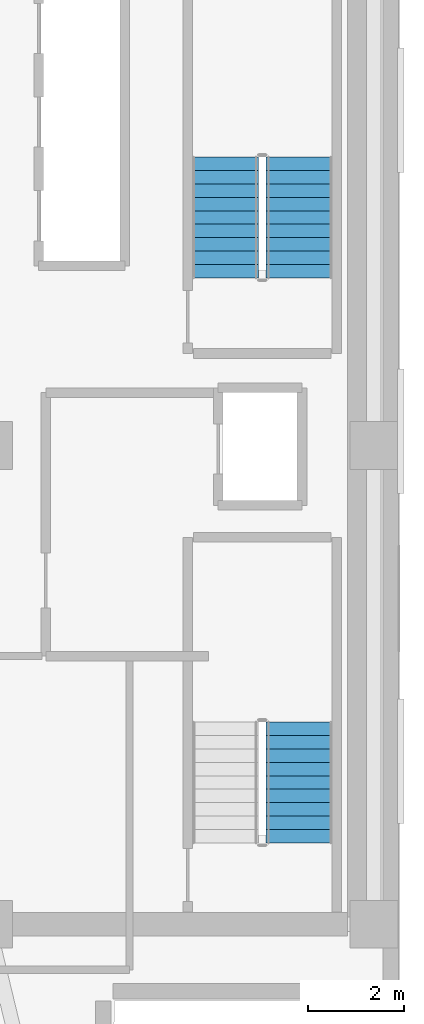
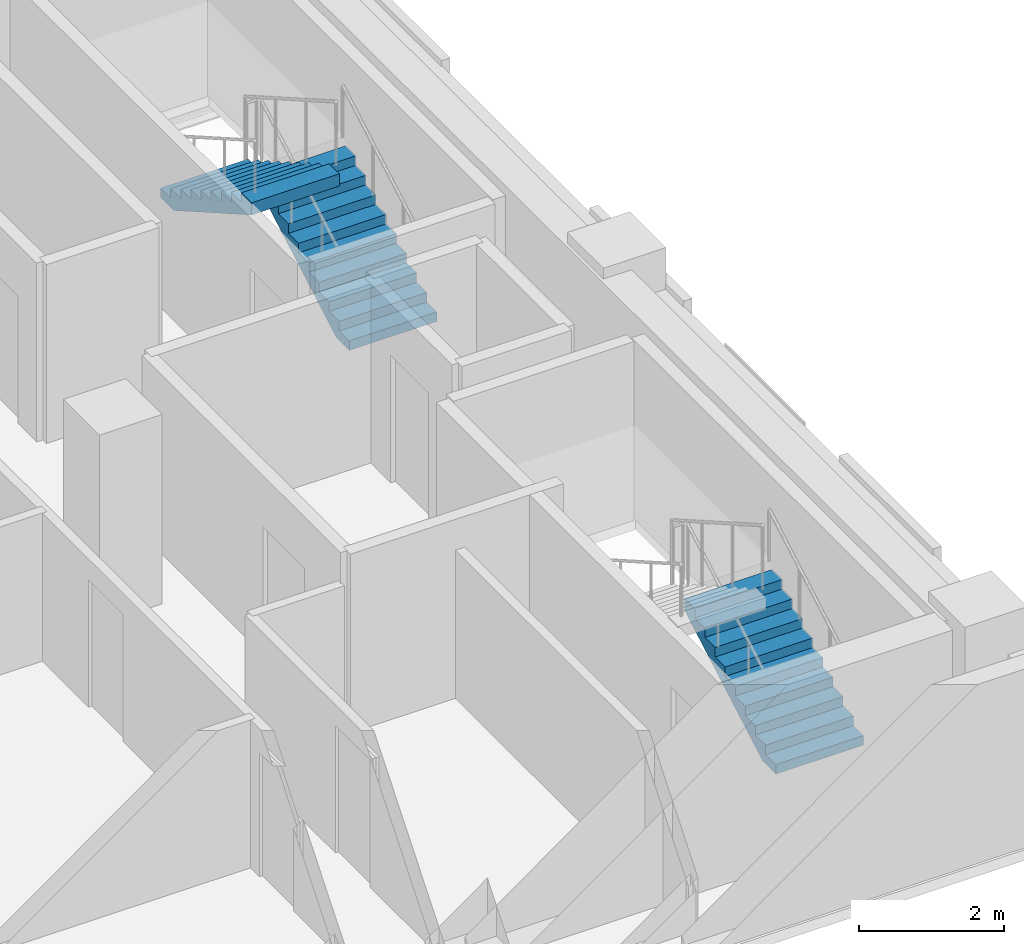
# One storey, part 14 of 18: 3 stair flights, 2 elements without a shape of their own.
"""IFC4 building model written with IfcOpenShell, lengths in metres."""

import ifcopenshell
import ifcopenshell.guid

model = None  # the IFC model being written
_history = None  # IfcOwnerHistory: only IFC2X3 demands one
_inside = {}  # id of a spatial element -> (the spatial element, [elements in it])
_under = {}  # id of a project, library or spatial element -> (it, [spatial elements below it])
_declared = {}  # id of a project -> (the project, [libraries it declares])
_typed = {}  # id of a type object -> (the type object, [elements of that type])
_made_of = {}  # id of a material, layer set ... -> (it, [elements and type objects made of it])


def new_model(schema):
    """Start an empty IFC model of exactly this schema.

    Asked for "IFC4X3", IfcOpenShell would pick the latest addendum, in which some entities
    have other attributes; the version numbers below select the first issue.
    IFC2X3 requires an IfcOwnerHistory on every rooted entity: one is made here for all.
    """
    global model, _history
    if schema == "IFC4X3":
        model = ifcopenshell.file(schema_version=(4, 3, 0, 0))
    else:
        model = ifcopenshell.file(schema=schema)
    _inside.clear()
    _under.clear()
    _declared.clear()
    _typed.clear()
    _made_of.clear()
    _history = None
    if model.schema == "IFC2X3":
        org = make("IfcOrganization", Name="unknown")
        user = make(
            "IfcPersonAndOrganization",
            ThePerson=make("IfcPerson", FamilyName="unknown"),
            TheOrganization=org,
        )
        app = make(
            "IfcApplication",
            ApplicationDeveloper=org,
            Version="unknown",
            ApplicationFullName="unknown",
            ApplicationIdentifier="unknown",
        )
        _history = make(
            "IfcOwnerHistory",
            OwningUser=user,
            OwningApplication=app,
            ChangeAction="ADDED",
            CreationDate=0,
        )
    return model


def make(cls, **values):
    """One entity of the class cls with the attributes given. An attribute that is None is left unset."""
    return model.create_entity(
        cls, **{name: value for name, value in values.items() if value is not None}
    )


def rooted(cls, **values):
    """An entity with a GlobalId (a new one), such as an element, a storey or a relation."""
    return make(cls, GlobalId=ifcopenshell.guid.new(), OwnerHistory=_history, **values)


def si_unit(unit_type, name, prefix=None):
    """IfcSIUnit, for example si_unit("LENGTHUNIT", "METRE", prefix="MILLI")."""
    return make("IfcSIUnit", UnitType=unit_type, Prefix=prefix, Name=name)


def assignment(units):
    """IfcUnitAssignment: the units of a project."""
    return None if units is None else make("IfcUnitAssignment", Units=units)


def point(xyz):
    """IfcCartesianPoint."""
    return None if xyz is None else make("IfcCartesianPoint", Coordinates=xyz)


def direction(xyz):
    """IfcDirection."""
    return None if xyz is None else make("IfcDirection", DirectionRatios=xyz)


def frame(location, z_axis=None, x_axis=None):
    """IfcAxis2Placement3D, a coordinate frame: its origin and axes. An axis left out is left unset."""
    return make(
        "IfcAxis2Placement3D",
        Location=point(location),
        Axis=direction(z_axis),
        RefDirection=direction(x_axis),
    )


def origin():
    """The frame at (0, 0, 0) with its axes left unset."""
    return frame((0.0, 0.0, 0.0))


def place(relative_to, where):
    """IfcLocalPlacement: puts the frame where relative to a parent placement (None: the world)."""
    return make(
        "IfcLocalPlacement", PlacementRelTo=relative_to, RelativePlacement=where
    )


def context(
    kind, dimensions, precision=None, world=None, true_north=None, identifier=None
):
    """IfcGeometricRepresentationContext, for example the 3D "Model" context."""
    return make(
        "IfcGeometricRepresentationContext",
        ContextIdentifier=identifier,
        ContextType=kind,
        CoordinateSpaceDimension=dimensions,
        Precision=precision,
        WorldCoordinateSystem=world,
        TrueNorth=true_north,
    )


def subcontext(parent, identifier, kind, view, scale=None):
    """IfcGeometricRepresentationSubContext, for example "Body" below "Model"."""
    return make(
        "IfcGeometricRepresentationSubContext",
        ContextIdentifier=identifier,
        ContextType=kind,
        ParentContext=parent,
        TargetScale=scale,
        TargetView=view,
    )


def project(units=None, contexts=None):
    """IfcProject with its units and contexts."""
    return rooted(
        "IfcProject",
        Name="project",
        RepresentationContexts=contexts,
        UnitsInContext=assignment(units),
    )


def spatial(cls, under=None, at=None, **own):
    """A site, building, storey or space (cls), placed at a placement, below another one or the project."""
    s = rooted(cls, ObjectPlacement=at, **own)
    if under is not None:
        _under.setdefault(under.id(), (under, []))[1].append(s)
    return s


def polyline(points):
    """IfcPolyline through the points."""
    return make("IfcPolyline", Points=[point(p) for p in points])


def outline(outer, holes=None, kind="AREA"):
    """IfcArbitraryClosedProfileDef: a profile drawn as a closed curve; with holes, ...WithVoids."""
    if holes is None:
        return make("IfcArbitraryClosedProfileDef", ProfileType=kind, OuterCurve=outer)
    return make(
        "IfcArbitraryProfileDefWithVoids",
        ProfileType=kind,
        OuterCurve=outer,
        InnerCurves=holes,
    )


def extrude(swept, where, along, depth):
    """IfcExtrudedAreaSolid: the profile swept, set in the frame where, extruded along a direction by depth."""
    return make(
        "IfcExtrudedAreaSolid",
        SweptArea=swept,
        Position=where,
        ExtrudedDirection=direction(along),
        Depth=depth,
    )


def shape(context_of_items, identifier, shape_type, items):
    """IfcShapeRepresentation: the items that make up one representation, for example the "Body"."""
    return make(
        "IfcShapeRepresentation",
        ContextOfItems=context_of_items,
        RepresentationIdentifier=identifier,
        RepresentationType=shape_type,
        Items=items,
    )


def material(Name=None, Category=None):
    """IfcMaterial."""
    return make("IfcMaterial", Name=Name, Category=Category)


def made_of(thing, what):
    """Note that an element or type object is made of a material, layer set ...; save() writes the relation."""
    if what is not None:
        _made_of.setdefault(what.id(), (what, []))[1].append(thing)
    return thing


def type_object(cls, material=None, **own):
    """A type object (cls), such as IfcWallType, which elements share."""
    return made_of(rooted(cls, **own), material)


def element(
    cls,
    number,
    at=None,
    inside=None,
    cuts=None,
    type_object=None,
    material=None,
    context=None,
    identifier="Body",
    shape_type=None,
    held_by="IfcProductDefinitionShape",
    body=None,
    shapes=None,
    **own,
):
    """One element of the class cls, such as IfcWall. Its Tag is "e" and its number.

    at: its placement. inside: the storey or other place that contains it. cuts: it is an
    opening in that element (IfcRelVoidsElement). A single representation is given by context,
    identifier, shape_type and body (its items); several are given by shapes. held_by: the class
    of the entity that holds the representations. save() writes the other relations.
    """
    e = rooted(cls, Tag="e%d" % number, ObjectPlacement=at, **own)
    if body is not None:
        shapes = [shape(context, identifier, shape_type, body)]
    if shapes is not None:
        e.Representation = make(held_by, Representations=shapes)
    if inside is not None:
        _inside.setdefault(inside.id(), (inside, []))[1].append(e)
    if cuts is not None:
        rooted(
            "IfcRelVoidsElement", RelatingBuildingElement=cuts, RelatedOpeningElement=e
        )
    if type_object is not None:
        _typed.setdefault(type_object.id(), (type_object, []))[1].append(e)
    return made_of(e, material)


def aggregate(whole, parts):
    """IfcRelAggregates: a whole, such as a stair, and the parts it consists of."""
    return rooted("IfcRelAggregates", RelatingObject=whole, RelatedObjects=parts)


def save(model, path):
    """Write the relations noted so far, then the file.

    IfcRelAggregates (storeys below a building ...), IfcRelContainedInSpatialStructure (elements
    in a storey), IfcRelDefinesByType, IfcRelAssociatesMaterial and IfcRelDeclares: one each for
    every whole, place, type object, material and project.
    """
    for whole, parts in _under.values():
        aggregate(whole, parts)
    for where, things in _inside.values():
        rooted(
            "IfcRelContainedInSpatialStructure",
            RelatedElements=things,
            RelatingStructure=where,
        )
    for kind, things in _typed.values():
        rooted("IfcRelDefinesByType", RelatedObjects=things, RelatingType=kind)
    for what, things in _made_of.values():
        rooted("IfcRelAssociatesMaterial", RelatedObjects=things, RelatingMaterial=what)
    for by, libraries in _declared.values():
        rooted("IfcRelDeclares", RelatingContext=by, RelatedDefinitions=libraries)
    model.write(path)


model = new_model("IFC4")

# Units and contexts
model_context = context("Model", 3, precision=1e-05, world=origin(), true_north=direction((0.0, 1.0)))
body_context = subcontext(model_context, "Body", "Model", "MODEL_VIEW")
ifc_project = project(units=[si_unit("LENGTHUNIT", "METRE"), si_unit("AREAUNIT", "SQUARE_METRE"), si_unit("VOLUMEUNIT", "CUBIC_METRE"), si_unit("PLANEANGLEUNIT", "RADIAN"), si_unit("MASSUNIT", "GRAM", prefix="KILO")], contexts=[model_context])

# Site, building, storey
site_placement = place(None, origin())
site = spatial("IfcSite", under=ifc_project, at=site_placement, CompositionType="ELEMENT")
building_placement = place(site_placement, origin())
building = spatial("IfcBuilding", under=site, at=building_placement, Name="Kuzgunbayir Cultural Tower", CompositionType="ELEMENT")
storey_placement = place(building_placement, frame((0.0, 0.0, 53.199951171875)))
storey = spatial("IfcBuildingStorey", under=building, at=storey_placement, Name="L14", CompositionType="ELEMENT", Elevation=53.199951171875)

# Stair, stair flight
ifc_material = material(Name="Concrete C40/50", Category="concrete")
stair_type = type_object("IfcStairType", Name="STR-EXIT-CORE", PredefinedType="HALF_TURN_STAIR", material=ifc_material)
stair_1_placement = place(storey_placement, origin())
stair_1 = element("IfcStair", 1, at=stair_1_placement, inside=storey, type_object=stair_type, Name="L14 ST-3", PredefinedType="HALF_TURN_STAIR")
stair_flight_type = type_object("IfcStairFlightType", Name="STRF-RC-140", PredefinedType="STRAIGHT", material=ifc_material)
stair_flight_1_placement = place(storey_placement, frame((71.10009765625, 23.699951171875, 0.0), z_axis=(0.0, 0.0, 1.0), x_axis=(0.0, 1.0, 0.0)))
stair_flight_1 = element("IfcStairFlight", 2, at=stair_flight_1_placement, type_object=stair_flight_type, Name="ST-3 flight 1", NumberOfRisers=10, NumberOfTreads=9, PredefinedType="STRAIGHT", RiserHeight=0.16, TreadLength=0.28, context=body_context, shape_type="SweptSolid", body=[
    extrude(outline(polyline([(0.0, 0.0), (0.0, 0.159912109375), (0.280029296875, 0.159912109375), (0.280029296875, 0.320068359375), (0.56005859375, 0.320068359375), (0.56005859375, 0.47998046875), (0.840087890625, 0.47998046875), (0.840087890625, 0.639892578125), (1.1201171875, 0.639892578125), (1.1201171875, 0.800048828125), (1.39990234375, 0.800048828125), (1.39990234375, 0.9599609375), (1.679931640625, 0.9599609375), (1.679931640625, 1.1201171875), (1.9599609375, 1.1201171875), (1.9599609375, 1.280029296875), (2.239990234375, 1.280029296875), (2.239990234375, 1.43994140625), (2.52001953125, 1.43994140625), (2.52001953125, 1.60009765625), (2.52001953125, 1.232666015625), (0.362548828125, 0.0), (0.0, 0.0)])), frame((0.0, 0.699951171875, 0.0), z_axis=(0.0, -1.0, 0.0), x_axis=(1.0, 0.0, 0.0)), (0.0, 0.0, 1.0), 1.39990234375),
])
aggregate(stair_1, [stair_flight_1])

# Stair, stair flights
stair_2_placement = place(storey_placement, origin())
stair_2 = element("IfcStair", 3, at=stair_2_placement, inside=storey, type_object=stair_type, Name="L14 ST-4", PredefinedType="HALF_TURN_STAIR")
stair_flight_2_placement = place(storey_placement, frame((71.10009765625, 35.5, 0.0), z_axis=(0.0, 0.0, 1.0), x_axis=(0.0, 1.0, 0.0)))
stair_flight_2 = element("IfcStairFlight", 4, at=stair_flight_2_placement, type_object=stair_flight_type, Name="ST-4 flight 1", NumberOfRisers=10, NumberOfTreads=9, PredefinedType="STRAIGHT", RiserHeight=0.16, TreadLength=0.28, context=body_context, shape_type="SweptSolid", body=[
    extrude(outline(polyline([(0.0, 0.0), (0.0, 0.159912109375), (0.280029296875, 0.159912109375), (0.280029296875, 0.320068359375), (0.56005859375, 0.320068359375), (0.56005859375, 0.47998046875), (0.840087890625, 0.47998046875), (0.840087890625, 0.639892578125), (1.1201171875, 0.639892578125), (1.1201171875, 0.800048828125), (1.39990234375, 0.800048828125), (1.39990234375, 0.9599609375), (1.679931640625, 0.9599609375), (1.679931640625, 1.1201171875), (1.9599609375, 1.1201171875), (1.9599609375, 1.280029296875), (2.239990234375, 1.280029296875), (2.239990234375, 1.43994140625), (2.52001953125, 1.43994140625), (2.52001953125, 1.60009765625), (2.52001953125, 1.232666015625), (0.362548828125, 0.0), (0.0, 0.0)])), frame((0.0, 0.699951171875, 0.0), z_axis=(0.0, -1.0, 0.0), x_axis=(1.0, 0.0, 0.0)), (0.0, 0.0, 1.0), 1.39990234375),
])
stair_flight_3_placement = place(storey_placement, frame((69.5400390625, 38.02001953125, 1.60009765625), z_axis=(0.0, 0.0, 1.0), x_axis=(0.0, -1.0, 0.0)))
stair_flight_3 = element("IfcStairFlight", 5, at=stair_flight_3_placement, type_object=stair_flight_type, Name="ST-4 flight 2", NumberOfRisers=10, NumberOfTreads=9, PredefinedType="STRAIGHT", RiserHeight=0.16, TreadLength=0.28, context=body_context, shape_type="SweptSolid", body=[
    extrude(outline(polyline([(0.0, 0.0), (0.0, 0.159912109375), (0.280029296875, 0.159912109375), (0.280029296875, 0.320068359375), (0.56005859375, 0.320068359375), (0.56005859375, 0.47998046875), (0.840087890625, 0.47998046875), (0.840087890625, 0.639892578125), (1.1201171875, 0.639892578125), (1.1201171875, 0.800048828125), (1.39990234375, 0.800048828125), (1.39990234375, 0.9599609375), (1.679931640625, 0.9599609375), (1.679931640625, 1.1201171875), (1.9599609375, 1.1201171875), (1.9599609375, 1.280029296875), (2.239990234375, 1.280029296875), (2.239990234375, 1.43994140625), (2.52001953125, 1.43994140625), (2.52001953125, 1.60009765625), (2.52001953125, 1.232666015625), (0.362548828125, 0.0), (0.0, 0.0)])), frame((0.0, 0.699951171875, 0.0), z_axis=(0.0, -1.0, 0.0), x_axis=(1.0, 0.0, 0.0)), (0.0, 0.0, 1.0), 1.39990234375),
])
aggregate(stair_2, [stair_flight_2, stair_flight_3])

save(model, "model.ifc")
